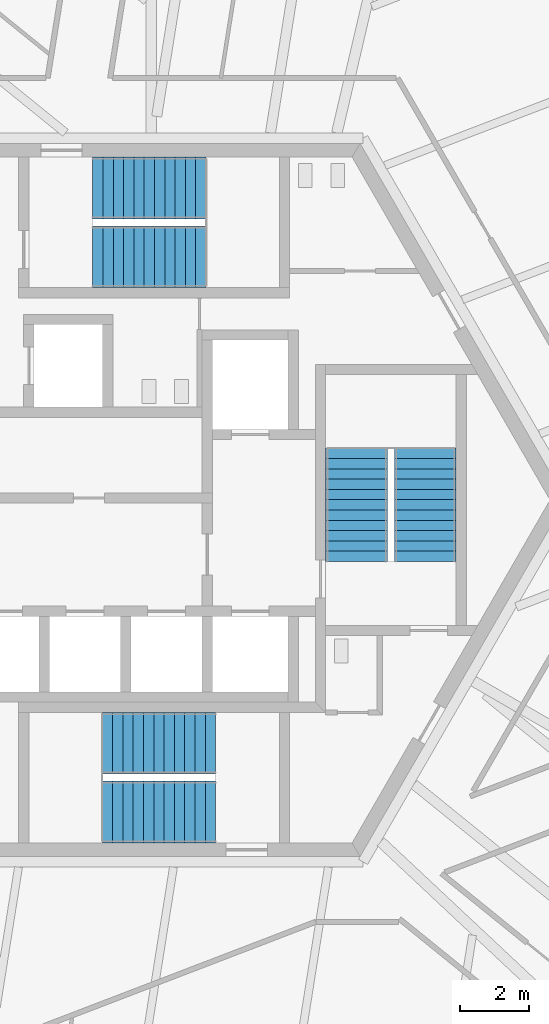
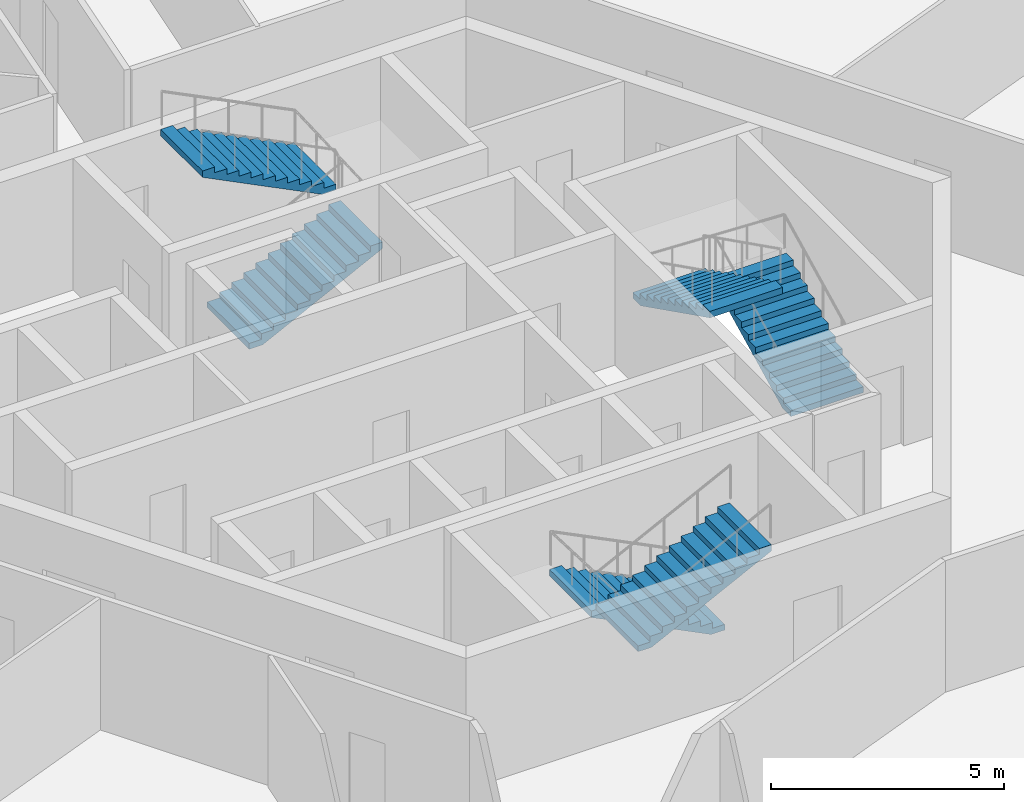
# One storey, part 15 of 19: 6 stair flights, 3 elements without a shape of their own.
"""IFC4 building model written with IfcOpenShell, lengths in metres."""

from ifc_helpers import new_model, si_unit, direction, frame, origin, place, context, subcontext, project, spatial, polyline, outline, extrude, source, transform, mapped, material, type_object, element, aggregate, save


model = new_model("IFC4")

# Units and contexts
model_context = context("Model", 3, precision=1e-05, world=origin(), true_north=direction((0.0, 1.0)))
body_context = subcontext(model_context, "Body", "Model", "MODEL_VIEW")
ifc_project = project(units=[si_unit("LENGTHUNIT", "METRE"), si_unit("AREAUNIT", "SQUARE_METRE"), si_unit("VOLUMEUNIT", "CUBIC_METRE"), si_unit("PLANEANGLEUNIT", "RADIAN"), si_unit("MASSUNIT", "GRAM", prefix="KILO")], contexts=[model_context])

# Site, building, storey
site_placement = place(None, origin())
site = spatial("IfcSite", under=ifc_project, at=site_placement, CompositionType="ELEMENT")
building_placement = place(site_placement, origin())
building = spatial("IfcBuilding", under=site, at=building_placement, Name="Triune Harvest Tower", CompositionType="ELEMENT")
storey_placement = place(building_placement, frame((0.0, 0.0, 149.699951171875)))
storey = spatial("IfcBuildingStorey", under=building, at=storey_placement, Name="L38", CompositionType="ELEMENT", Elevation=149.699951171875)

# Stair, stair flights
ifc_material_1 = material(Name="Concrete 40 MPa", Category="concrete")
stair_type = type_object("IfcStairType", Name="Exit stair 1800 half turn", PredefinedType="HALF_TURN_STAIR", material=ifc_material_1)
stair_1_placement = place(storey_placement, origin())
stair_1 = element("IfcStair", 1, at=stair_1_placement, inside=storey, type_object=stair_type, Name="Exit stair north", PredefinedType="HALF_TURN_STAIR")
ifc_material_2 = material(Name="Concrete 40 MPa", Category="concrete")
stair_flight_type = type_object("IfcStairFlightType", Name="Stair flight 1800", PredefinedType="STRAIGHT", material=ifc_material_2)
shared_shape = source(origin(), body_context, "Body", "SweptSolid", [
    extrude(outline(polyline([(0.0, 0.0), (0.0, 0.14990234375), (0.300048828125, 0.14990234375), (0.300048828125, 0.300048828125), (0.60009765625, 0.300048828125), (0.60009765625, 0.449951171875), (0.89990234375, 0.449951171875), (0.89990234375, 0.60009765625), (1.199951171875, 0.60009765625), (1.199951171875, 0.75), (1.5, 0.75), (1.5, 0.89990234375), (1.800048828125, 0.89990234375), (1.800048828125, 1.050048828125), (2.10009765625, 1.050048828125), (2.10009765625, 1.199951171875), (2.39990234375, 1.199951171875), (2.39990234375, 1.35009765625), (2.699951171875, 1.35009765625), (2.699951171875, 1.5), (3.0, 1.5), (3.0, 1.64990234375), (3.300048828125, 1.64990234375), (3.300048828125, 1.800048828125), (3.300048828125, 1.482421875), (0.335205078125, 0.0), (0.0, 0.0)])), frame((0.0, 0.89990234375, 0.0), z_axis=(0.0, -1.0, 0.0), x_axis=(1.0, 0.0, 0.0)), (0.0, 0.0, 1.0), 1.800048828125),
])
stair_flight_1_placement = place(storey_placement, frame((-1.7900390625, 7.090087890625, 0.0), z_axis=(0.0, 0.0, 1.0), x_axis=(1.0, 0.0, 0.0)))
stair_flight_1 = element("IfcStairFlight", 2, at=stair_flight_1_placement, type_object=stair_flight_type, Name="ST-1 flight 1", NumberOfRisers=12, NumberOfTreads=11, PredefinedType="STRAIGHT", RiserHeight=0.15, TreadLength=0.3, context=body_context, shape_type="MappedRepresentation", body=[
    mapped(shared_shape, transform((0.0, 0.0, 0.0), scale=1.0)),
])
stair_flight_2_placement = place(storey_placement, frame((1.510009765625, 9.090087890625, 1.800048828125), z_axis=(0.0, 0.0, 1.0), x_axis=(-1.0, 0.0, 0.0)))
stair_flight_2 = element("IfcStairFlight", 3, at=stair_flight_2_placement, type_object=stair_flight_type, Name="ST-1 flight 2", NumberOfRisers=12, NumberOfTreads=11, PredefinedType="STRAIGHT", RiserHeight=0.15, TreadLength=0.3, context=body_context, shape_type="MappedRepresentation", body=[
    mapped(shared_shape, transform((0.0, 0.0, 0.0), scale=1.0)),
])
aggregate(stair_1, [stair_flight_1, stair_flight_2])

stair_2_placement = place(storey_placement, origin())
stair_2 = element("IfcStair", 4, at=stair_2_placement, inside=storey, type_object=stair_type, Name="Exit stair south", PredefinedType="HALF_TURN_STAIR")
stair_flight_3_placement = place(storey_placement, frame((1.7900390625, -7.090087890625, 0.0), z_axis=(0.0, 0.0, 1.0), x_axis=(-1.0, 0.0, 0.0)))
stair_flight_3 = element("IfcStairFlight", 5, at=stair_flight_3_placement, type_object=stair_flight_type, Name="ST-2 flight 1", NumberOfRisers=12, NumberOfTreads=11, PredefinedType="STRAIGHT", RiserHeight=0.15, TreadLength=0.3, context=body_context, shape_type="MappedRepresentation", body=[
    mapped(shared_shape, transform((0.0, 0.0, 0.0), scale=1.0)),
])
stair_flight_4_placement = place(storey_placement, frame((-1.510009765625, -9.090087890625, 1.800048828125), z_axis=(0.0, 0.0, 1.0), x_axis=(1.0, 0.0, 0.0)))
stair_flight_4 = element("IfcStairFlight", 6, at=stair_flight_4_placement, type_object=stair_flight_type, Name="ST-2 flight 2", NumberOfRisers=12, NumberOfTreads=11, PredefinedType="STRAIGHT", RiserHeight=0.15, TreadLength=0.3, context=body_context, shape_type="MappedRepresentation", body=[
    mapped(shared_shape, transform((0.0, 0.0, 0.0), scale=1.0)),
])
aggregate(stair_2, [stair_flight_3, stair_flight_4])

stair_3_placement = place(storey_placement, origin())
stair_3 = element("IfcStair", 7, at=stair_3_placement, inside=storey, type_object=stair_type, Name="Exit stair east", PredefinedType="HALF_TURN_STAIR")
stair_flight_5_placement = place(storey_placement, frame((7.89990234375, -1.7900390625, 0.0), z_axis=(0.0, 0.0, 1.0), x_axis=(0.0, 1.0, 0.0)))
stair_flight_5 = element("IfcStairFlight", 8, at=stair_flight_5_placement, type_object=stair_flight_type, Name="ST-3 flight 1", NumberOfRisers=12, NumberOfTreads=11, PredefinedType="STRAIGHT", RiserHeight=0.15, TreadLength=0.3, context=body_context, shape_type="MappedRepresentation", body=[
    mapped(shared_shape, transform((0.0, 0.0, 0.0), scale=1.0)),
])
stair_flight_6_placement = place(storey_placement, frame((5.89990234375, 1.510009765625, 1.800048828125), z_axis=(0.0, 0.0, 1.0), x_axis=(0.0, -1.0, 0.0)))
stair_flight_6 = element("IfcStairFlight", 9, at=stair_flight_6_placement, type_object=stair_flight_type, Name="ST-3 flight 2", NumberOfRisers=12, NumberOfTreads=11, PredefinedType="STRAIGHT", RiserHeight=0.15, TreadLength=0.3, context=body_context, shape_type="MappedRepresentation", body=[
    mapped(shared_shape, transform((0.0, 0.0, 0.0), scale=1.0)),
])
aggregate(stair_3, [stair_flight_5, stair_flight_6])

save(model, "model.ifc")
